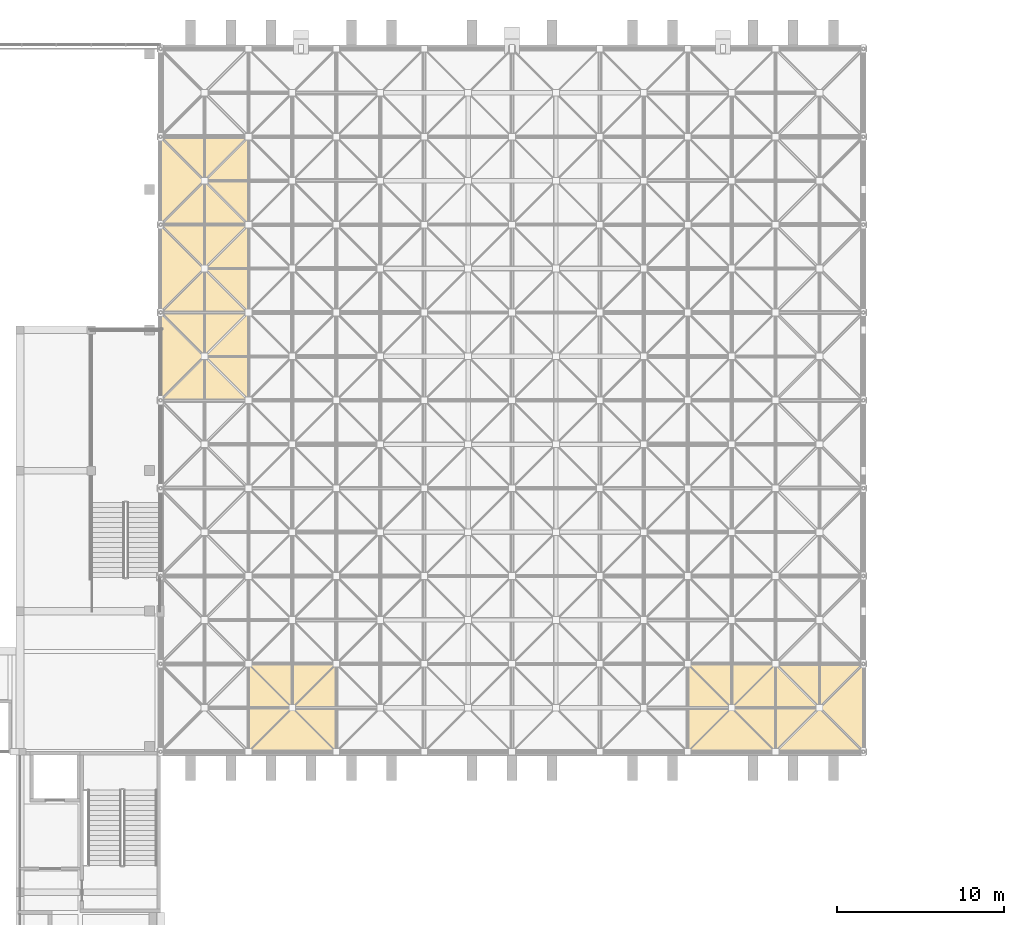
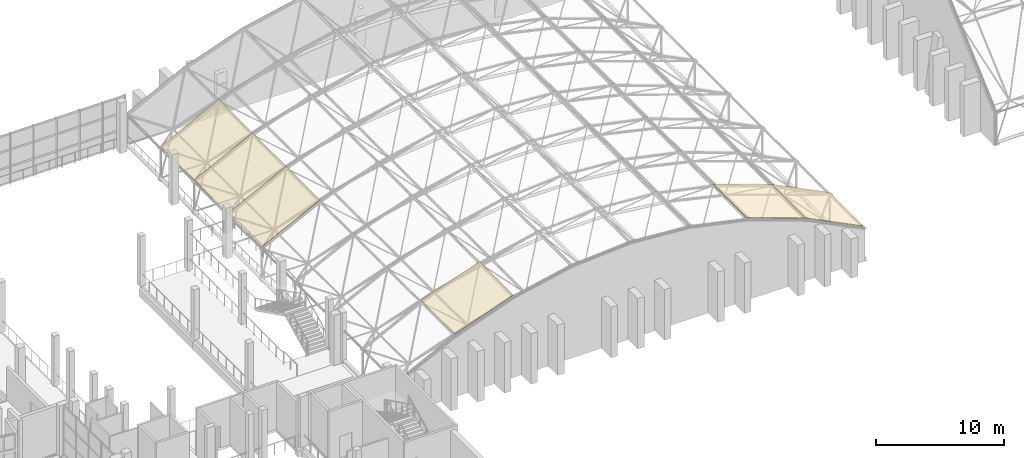
# One storey, part 93 of 100: 6 coverings.
"""IFC4 building model written with IfcOpenShell, lengths in metres."""

from ifc_helpers import new_model, si_unit, direction, frame, origin, place, context, subcontext, project, spatial, polyline, outline, extrude, material, layer, layer_set, type_object, element, save


model = new_model("IFC4")

# Units and contexts
model_context = context("Model", 3, precision=1e-05, world=origin(), true_north=direction((0.0, 1.0)))
body_context = subcontext(model_context, "Body", "Model", "MODEL_VIEW")
ifc_project = project(units=[si_unit("LENGTHUNIT", "METRE"), si_unit("AREAUNIT", "SQUARE_METRE"), si_unit("VOLUMEUNIT", "CUBIC_METRE"), si_unit("PLANEANGLEUNIT", "RADIAN"), si_unit("MASSUNIT", "GRAM", prefix="KILO")], contexts=[model_context])

# Site, building, storey
site_placement = place(None, origin())
site = spatial("IfcSite", under=ifc_project, at=site_placement, CompositionType="ELEMENT")
building_placement = place(site_placement, origin())
building = spatial("IfcBuilding", under=site, at=building_placement, Name="Kiln Court Media Centre", CompositionType="ELEMENT")
storey_placement = place(building_placement, frame((0.0, 0.0, 15.0)))
storey = spatial("IfcBuildingStorey", under=building, at=storey_placement, Name="L03", CompositionType="ELEMENT", Elevation=15.0)

# Coverings
ifc_material = material(Name="Aluminium 3004 H34", Category="aluminium")
ifc_layer = layer(ifc_material, 0.06005859375)
ifc_layer_set = layer_set([ifc_layer], Name="Standing-seam aluminium roof panel 60")
covering_type = type_object("IfcCoveringType", Name="Standing-seam aluminium roof panel 60", PredefinedType="ROOFING", material=ifc_layer_set)
for number, where, z_axis, x_axis, name in (
    (1, (58.800048828125, 46.199951171875, 3.203857421875), (-0.4472135955, 0.0, 0.894427191), (0.894427191, 0.0, 0.4472135955), "V1 roof panel 1.5"),
    (2, (58.800048828125, 51.449951171875, 3.203857421875), (-0.4472135955, 0.0, 0.894427191), (0.894427191, 0.0, 0.4472135955), "V1 roof panel 1.6"),
    (3, (58.800048828125, 56.699951171875, 3.203857421875), (-0.4472135955, 0.0, 0.894427191), (0.894427191, 0.0, 0.4472135955), "V1 roof panel 1.7"),
):
    element("IfcCovering", number, at=place(storey_placement, frame(where, z_axis=z_axis, x_axis=x_axis)), inside=storey, type_object=covering_type, Name=name, PredefinedType="ROOFING", context=body_context, shape_type="SweptSolid", body=[
        extrude(outline(polyline([(0.0, 0.0), (5.869678440936949, 0.0), (5.869678440936949, 5.25), (0.0, 5.25), (0.0, 0.0)])), origin(), (0.0, 0.0, -1.0), 0.06005859375),
    ])
for number, where, z_axis, x_axis, name in (
    (4, (64.050048828125, 25.199951171875, 5.818603515625), (-0.336336396998, 0.0, 0.941741911595), (0.941741911595, 0.0, 0.336336396998), "V1 roof panel 2.1"),
    (5, (90.300048828125, 25.199951171875, 7.693603515625), (0.336336396998, 0.0, 0.941741911595), (0.941741911595, 0.0, -0.336336396998), "V1 roof panel 7.1"),
):
    element("IfcCovering", number, at=place(storey_placement, frame(where, z_axis=z_axis, x_axis=x_axis)), inside=storey, type_object=covering_type, Name=name, PredefinedType="ROOFING", context=body_context, shape_type="SweptSolid", body=[
        extrude(outline(polyline([(0.0, 0.0), (5.5747757802444395, 0.0), (5.5747757802444395, 5.25), (0.0, 5.25), (0.0, 0.0)])), origin(), (0.0, 0.0, -1.0), 0.06005859375),
    ])
covering_placement = place(storey_placement, frame((95.550048828125, 25.199951171875, 5.828857421875), z_axis=(0.4472135955, 0.0, 0.894427191), x_axis=(0.894427191, 0.0, -0.4472135955)))
element("IfcCovering", 6, at=covering_placement, inside=storey, type_object=covering_type, Name="V1 roof panel 8.1", PredefinedType="ROOFING", context=body_context, shape_type="SweptSolid", body=[
    extrude(outline(polyline([(0.0, 0.0), (5.869678440936949, 0.0), (5.869678440936949, 5.25), (0.0, 5.25), (0.0, 0.0)])), origin(), (0.0, 0.0, -1.0), 0.06005859375),
])

save(model, "model.ifc")
